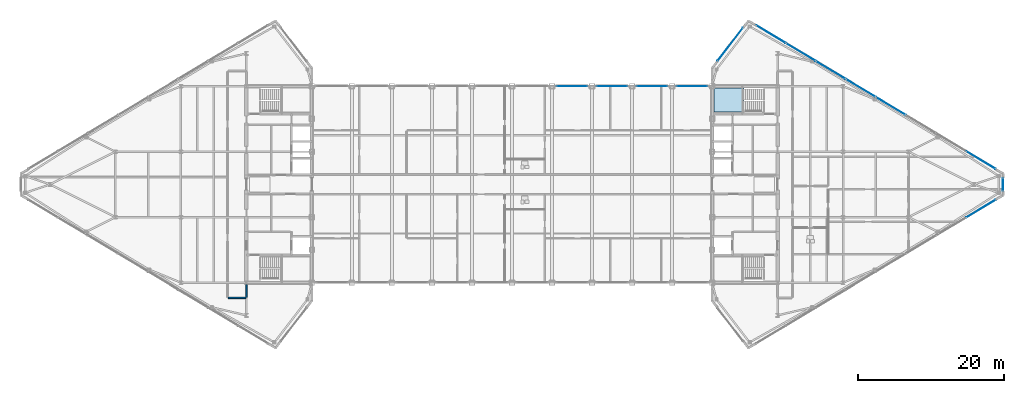
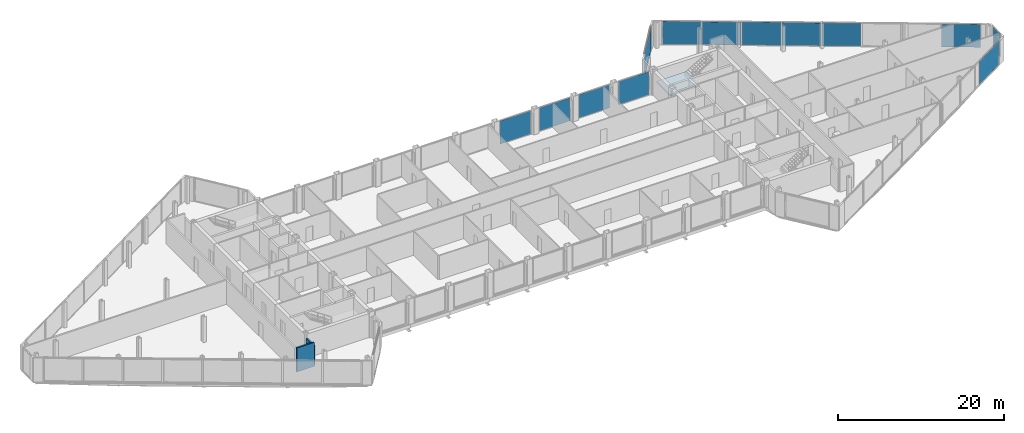
# One storey, part 20 of 28: 13 plates, 2 walls, 1 slab, 9 elements without a shape of their own.
"""IFC4 building model written with IfcOpenShell, lengths in metres."""

from ifc_helpers import new_model, si_unit, direction, frame, frame_2d, origin, origin_2d, place, context, subcontext, project, spatial, polyline, rectangle, outline, extrude, source, transform, mapped, material, layer, layer_set, type_object, type_shapes, element, aggregate, save


model = new_model("IFC4")

# Units and contexts
model_context = context("Model", 3, precision=1e-05, world=origin(), true_north=direction((0.0, 1.0)))
body_context = subcontext(model_context, "Body", "Model", "MODEL_VIEW")
ifc_project = project(units=[si_unit("LENGTHUNIT", "METRE"), si_unit("AREAUNIT", "SQUARE_METRE"), si_unit("VOLUMEUNIT", "CUBIC_METRE"), si_unit("PLANEANGLEUNIT", "RADIAN"), si_unit("MASSUNIT", "GRAM", prefix="KILO")], contexts=[model_context])

# Site, building, storey
site_placement = place(None, origin())
site = spatial("IfcSite", under=ifc_project, at=site_placement, CompositionType="ELEMENT")
building_placement = place(site_placement, origin())
building = spatial("IfcBuilding", under=site, at=building_placement, Name="Seokmaru Belvedere", CompositionType="ELEMENT")
storey_placement = place(building_placement, frame((0.0, 0.0, 261.89990234375)))
storey = spatial("IfcBuildingStorey", under=building, at=storey_placement, Name="L69", CompositionType="ELEMENT", Elevation=261.89990234375)

# Stair, slab
ifc_material_1 = material(Name="Concrete C40 (40 MPa)", Category="concrete")
stair_type = type_object("IfcStairType", Name="Sky-Gate Residential Core Dog-Leg Stair 3750", PredefinedType="TWO_STRAIGHT_RUN_STAIR", material=ifc_material_1)
stair_placement = place(storey_placement, origin())
stair = element("IfcStair", 1, at=stair_placement, inside=storey, type_object=stair_type, Name="L69 Special Escape Stair ST-E2", PredefinedType="TWO_STRAIGHT_RUN_STAIR")
ifc_layer_1 = layer(ifc_material_1, 0.199951171875)
ifc_layer_set_1 = layer_set([ifc_layer_1], Name="Concrete C40 (40 MPa)")
slab_type = type_object("IfcSlabType", Name="Reinforced Concrete Stair Landing Slab 200", PredefinedType="LANDING", material=ifc_layer_set_1)
slab_placement = place(storey_placement, frame((0.0, 0.0, 1.675048828125)))
slab = element("IfcSlab", 2, at=slab_placement, type_object=slab_type, Name="ST-E2 landing 1", PredefinedType="LANDING", context=body_context, shape_type="SweptSolid", body=[
    extrude(outline(polyline([(27.760009765625, 9.949951171875), (31.8798828125, 9.949951171875), (31.8798828125, 13.239990234375), (27.760009765625, 13.239990234375), (27.760009765625, 9.949951171875)])), origin(), (0.0, 0.0, 1.0), 0.199951171875),
])
aggregate(stair, [slab])

# Curtain wall, plate
ifc_material_2 = material(Name="Bronze Triple Insulating Glass", Category="glass")
ifc_layer_2 = layer(ifc_material_2, 0.219970703125)
ifc_layer_set_2 = layer_set([ifc_layer_2], Name="Bronze Triple Insulating Glass")
curtain_wall_type = type_object("IfcCurtainWallType", Name="Sky-Gate Bridge Panorama Curtain Wall System CW-6", PredefinedType="NOTDEFINED", material=ifc_layer_set_2)
curtain_wall_1_placement = place(storey_placement, origin())
curtain_wall_1 = element("IfcCurtainWall", 3, at=curtain_wall_1_placement, inside=storey, type_object=curtain_wall_type, Name="L69 Curtain Wall EF4", PredefinedType="NOTDEFINED")
ifc_layer_3 = layer(ifc_material_2, 0.0419921875)
ifc_layer_set_3 = layer_set([ifc_layer_3], Name="Bronze Triple Insulating Glass")
plate_type = type_object("IfcPlateType", Name="Acoustic Laminated Panorama Glazing Panel 42", PredefinedType="CURTAIN_PANEL", material=ifc_layer_set_3)
shared_shape_1 = source(origin(), body_context, "Body", "SweptSolid", [
    extrude(rectangle(XDim=5.740478515625, YDim=0.0419921875, at=origin_2d()), origin(), (0.0, 0.0, 1.0), 3.3798828125),
])
plate_1_placement = place(storey_placement, frame((30.0, 19.25, 0.0751953125), z_axis=(0.0, 0.0, 1.0), x_axis=(-0.609701187349, -0.792631353244, 0.0)))
plate_1 = element("IfcPlate", 4, at=plate_1_placement, type_object=plate_type, Name="CW:L69:EF4 Glazing Panel 1-1", PredefinedType="CURTAIN_PANEL", context=body_context, shape_type="MappedRepresentation", body=[
    mapped(shared_shape_1, transform((0.0, 0.0, 0.0), scale=1.0)),
])
aggregate(curtain_wall_1, [plate_1])

curtain_wall_2_placement = place(storey_placement, origin())
curtain_wall_2 = element("IfcCurtainWall", 5, at=curtain_wall_2_placement, inside=storey, type_object=curtain_wall_type, Name="L69 Curtain Wall EF1", PredefinedType="NOTDEFINED")
shared_shape_2 = source(origin(), body_context, "Body", "SweptSolid", [
    extrude(rectangle(XDim=4.694580078125, YDim=0.0419921875, at=origin_2d()), origin(), (0.0, 0.0, 1.0), 3.3798828125),
])
plate_2_placement = place(storey_placement, frame((64.4326171875, -3.340576171875, 0.0751953125), z_axis=(0.0, 0.0, 1.0), x_axis=(0.85749343335, 0.514494909364, 0.0)))
plate_2 = element("IfcPlate", 6, at=plate_2_placement, type_object=plate_type, Name="CW:L69:EF1 Glazing Panel 8-1", PredefinedType="CURTAIN_PANEL", context=body_context, shape_type="MappedRepresentation", body=[
    mapped(shared_shape_2, transform((0.0, 0.0, 0.0), scale=1.0)),
])
aggregate(curtain_wall_2, [plate_2])

# Curtain wall, plates
curtain_wall_3_placement = place(storey_placement, origin())
curtain_wall_3 = element("IfcCurtainWall", 7, at=curtain_wall_3_placement, inside=storey, type_object=curtain_wall_type, Name="L69 Curtain Wall EF3", PredefinedType="NOTDEFINED")
plate_3_placement = place(storey_placement, frame((64.4326171875, 3.340576171875, 0.0751953125), z_axis=(0.0, 0.0, 1.0), x_axis=(-0.85749343335, 0.514494909364, 0.0)))
plate_3 = element("IfcPlate", 8, at=plate_3_placement, type_object=plate_type, Name="CW:L69:EF3 Glazing Panel 1-1", PredefinedType="CURTAIN_PANEL", context=body_context, shape_type="MappedRepresentation", body=[
    mapped(shared_shape_2, transform((0.0, 0.0, 0.0), scale=1.0)),
])
plate_4_placement = place(storey_placement, frame((35.5673828125, 20.659423828125, 0.0751953125), z_axis=(0.0, 0.0, 1.0), x_axis=(-0.85749343335, 0.514494909364, 0.0)))
plate_4 = element("IfcPlate", 9, at=plate_4_placement, type_object=plate_type, Name="CW:L69:EF3 Glazing Panel 8-1", PredefinedType="CURTAIN_PANEL", context=body_context, shape_type="MappedRepresentation", body=[
    mapped(shared_shape_2, transform((0.0, 0.0, 0.0), scale=1.0)),
])
shared_shape_3 = source(origin(), body_context, "Body", "SweptSolid", [
    extrude(rectangle(XDim=4.734619140625, YDim=0.0419921875, at=origin_2d()), origin(), (0.0, 0.0, 1.0), 3.3798828125),
])
plate_5_placement = place(storey_placement, frame((52.064208984375, 10.761474609375, 0.0751953125), z_axis=(0.0, 0.0, 1.0), x_axis=(-0.85749343335, 0.514494909364, 0.0)))
plate_5 = element("IfcPlate", 10, at=plate_5_placement, type_object=plate_type, Name="CW:L69:EF3 Glazing Panel 4-1", PredefinedType="CURTAIN_PANEL", context=body_context, shape_type="MappedRepresentation", body=[
    mapped(shared_shape_3, transform((0.0, 0.0, 0.0), scale=1.0)),
])
plate_6_placement = place(storey_placement, frame((47.935791015625, 13.238525390625, 0.0751953125), z_axis=(0.0, 0.0, 1.0), x_axis=(-0.85749343335, 0.514494909364, 0.0)))
plate_6 = element("IfcPlate", 11, at=plate_6_placement, type_object=plate_type, Name="CW:L69:EF3 Glazing Panel 5-1", PredefinedType="CURTAIN_PANEL", context=body_context, shape_type="MappedRepresentation", body=[
    mapped(shared_shape_3, transform((0.0, 0.0, 0.0), scale=1.0)),
])
plate_7_placement = place(storey_placement, frame((43.807373046875, 15.715576171875, 0.0751953125), z_axis=(0.0, 0.0, 1.0), x_axis=(-0.85749343335, 0.514494909364, 0.0)))
plate_7 = element("IfcPlate", 12, at=plate_7_placement, type_object=plate_type, Name="CW:L69:EF3 Glazing Panel 6-1", PredefinedType="CURTAIN_PANEL", context=body_context, shape_type="MappedRepresentation", body=[
    mapped(shared_shape_3, transform((0.0, 0.0, 0.0), scale=1.0)),
])
plate_8_placement = place(storey_placement, frame((39.6787109375, 18.192626953125, 0.0751953125), z_axis=(0.0, 0.0, 1.0), x_axis=(-0.85749343335, 0.514494909364, 0.0)))
plate_8 = element("IfcPlate", 13, at=plate_8_placement, type_object=plate_type, Name="CW:L69:EF3 Glazing Panel 7-1", PredefinedType="CURTAIN_PANEL", context=body_context, shape_type="MappedRepresentation", body=[
    mapped(shared_shape_3, transform((0.0, 0.0, 0.0), scale=1.0)),
])
aggregate(curtain_wall_3, [plate_3, plate_5, plate_6, plate_7, plate_8, plate_4])

# Curtain wall, plate
curtain_wall_4_placement = place(storey_placement, origin())
curtain_wall_4 = element("IfcCurtainWall", 14, at=curtain_wall_4_placement, inside=storey, type_object=curtain_wall_type, Name="L69 Curtain Wall EF2", PredefinedType="NOTDEFINED")
shared_shape_4 = source(origin(), body_context, "Body", "SweptSolid", [
    extrude(rectangle(XDim=1.739990234375, YDim=0.0419921875, at=origin_2d()), origin(), (0.0, 0.0, 1.0), 3.3798828125),
])
plate_9_placement = place(storey_placement, frame((67.5, 0.0, 0.0751953125), z_axis=(0.0, 0.0, 1.0), x_axis=(0.0, 1.0, 0.0)))
plate_9 = element("IfcPlate", 15, at=plate_9_placement, type_object=plate_type, Name="CW:L69:EF2 Glazing Panel 1-1", PredefinedType="CURTAIN_PANEL", context=body_context, shape_type="MappedRepresentation", body=[
    mapped(shared_shape_4, transform((0.0, 0.0, 0.0), scale=1.0)),
])
aggregate(curtain_wall_4, [plate_9])

curtain_wall_5_placement = place(storey_placement, origin())
curtain_wall_5 = element("IfcCurtainWall", 16, at=curtain_wall_5_placement, inside=storey, type_object=curtain_wall_type, Name="L69 Curtain Wall BR_N07", PredefinedType="NOTDEFINED")
shared_shape_5 = source(origin(), body_context, "Body", "SweptSolid", [
    extrude(rectangle(XDim=4.239990234375, YDim=0.0419921875, at=origin_2d()), origin(), (0.0, 0.0, 1.0), 3.3798828125),
])
type_shapes(plate_type, [shared_shape_1, shared_shape_2, shared_shape_3, shared_shape_4, shared_shape_5])
plate_10_placement = place(storey_placement, frame((8.25, 13.5, 0.0751953125), z_axis=(0.0, 0.0, 1.0), x_axis=(-1.0, 0.0, 0.0)))
plate_10 = element("IfcPlate", 17, at=plate_10_placement, type_object=plate_type, Name="CW:L69:BR_N07 Glazing Panel 1-1", PredefinedType="CURTAIN_PANEL", context=body_context, shape_type="MappedRepresentation", body=[
    mapped(shared_shape_5, transform((0.0, 0.0, 0.0), scale=1.0)),
])
aggregate(curtain_wall_5, [plate_10])

curtain_wall_6_placement = place(storey_placement, origin())
curtain_wall_6 = element("IfcCurtainWall", 18, at=curtain_wall_6_placement, inside=storey, type_object=curtain_wall_type, Name="L69 Curtain Wall BR_N08", PredefinedType="NOTDEFINED")
plate_11_placement = place(storey_placement, frame((13.75, 13.5, 0.0751953125), z_axis=(0.0, 0.0, 1.0), x_axis=(-1.0, 0.0, 0.0)))
plate_11 = element("IfcPlate", 19, at=plate_11_placement, type_object=plate_type, Name="CW:L69:BR_N08 Glazing Panel 1-1", PredefinedType="CURTAIN_PANEL", context=body_context, shape_type="MappedRepresentation", body=[
    mapped(shared_shape_5, transform((0.0, 0.0, 0.0), scale=1.0)),
])
aggregate(curtain_wall_6, [plate_11])

curtain_wall_7_placement = place(storey_placement, origin())
curtain_wall_7 = element("IfcCurtainWall", 20, at=curtain_wall_7_placement, inside=storey, type_object=curtain_wall_type, Name="L69 Curtain Wall BR_N09", PredefinedType="NOTDEFINED")
plate_12_placement = place(storey_placement, frame((19.25, 13.5, 0.0751953125), z_axis=(0.0, 0.0, 1.0), x_axis=(-1.0, 0.0, 0.0)))
plate_12 = element("IfcPlate", 21, at=plate_12_placement, type_object=plate_type, Name="CW:L69:BR_N09 Glazing Panel 1-1", PredefinedType="CURTAIN_PANEL", context=body_context, shape_type="MappedRepresentation", body=[
    mapped(shared_shape_5, transform((0.0, 0.0, 0.0), scale=1.0)),
])
aggregate(curtain_wall_7, [plate_12])

curtain_wall_8_placement = place(storey_placement, origin())
curtain_wall_8 = element("IfcCurtainWall", 22, at=curtain_wall_8_placement, inside=storey, type_object=curtain_wall_type, Name="L69 Curtain Wall BR_N10", PredefinedType="NOTDEFINED")
plate_13_placement = place(storey_placement, frame((24.75, 13.5, 0.0751953125), z_axis=(0.0, 0.0, 1.0), x_axis=(-1.0, 0.0, 0.0)))
plate_13 = element("IfcPlate", 23, at=plate_13_placement, type_object=plate_type, Name="CW:L69:BR_N10 Glazing Panel 1-1", PredefinedType="CURTAIN_PANEL", context=body_context, shape_type="MappedRepresentation", body=[
    mapped(shared_shape_5, transform((0.0, 0.0, 0.0), scale=1.0)),
])
aggregate(curtain_wall_8, [plate_13])

# Walls
ifc_material_3 = material(Name="Fire-Rated Gypsum Shaftwall")
ifc_layer_4 = layer(ifc_material_3, 0.199951171875)
ifc_layer_set_4 = layer_set([ifc_layer_4], Name="Fire-Rated Gypsum Shaftwall")
wall_type = type_object("IfcWallType", Name="Inter-Tenancy Fire Compartment Partition 200", PredefinedType="PARTITIONING", material=ifc_layer_set_4)
wall_1_placement = place(storey_placement, frame((-39.014892578125, -15.60009765625, 0.0), z_axis=(0.0, 0.0, 1.0), x_axis=(1.0, 0.0, 0.0)))
element("IfcWall", 24, at=wall_1_placement, inside=storey, type_object=wall_type, Name="L69 Interior Partition 001", PredefinedType="PARTITIONING", context=body_context, shape_type="SweptSolid", body=[
    extrude(rectangle(XDim=2.429931640625, YDim=0.199951171875, at=frame_2d((1.21484375, 0.0))), origin(), (0.0, 0.0, 1.0), 3.530029296875),
])
wall_2_placement = place(storey_placement, frame((-36.5, -15.514892578125, 0.0), z_axis=(0.0, 0.0, 1.0), x_axis=(0.0, 1.0, 0.0)))
element("IfcWall", 25, at=wall_2_placement, inside=storey, type_object=wall_type, Name="L69 Interior Partition 023", PredefinedType="PARTITIONING", context=body_context, shape_type="SweptSolid", body=[
    extrude(rectangle(XDim=1.760009765625, YDim=0.199951171875, at=frame_2d((0.8798828125, 0.0))), origin(), (0.0, 0.0, 1.0), 2.93017578125),
])

save(model, "model.ifc")
